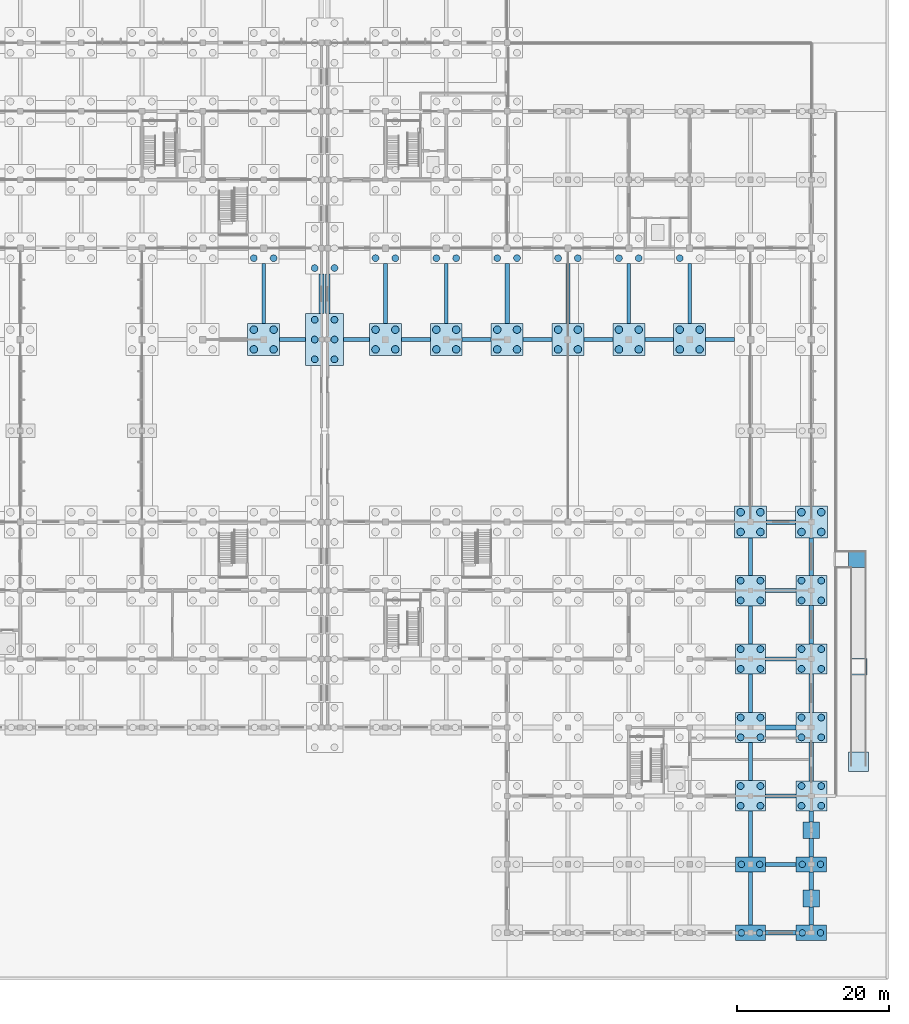
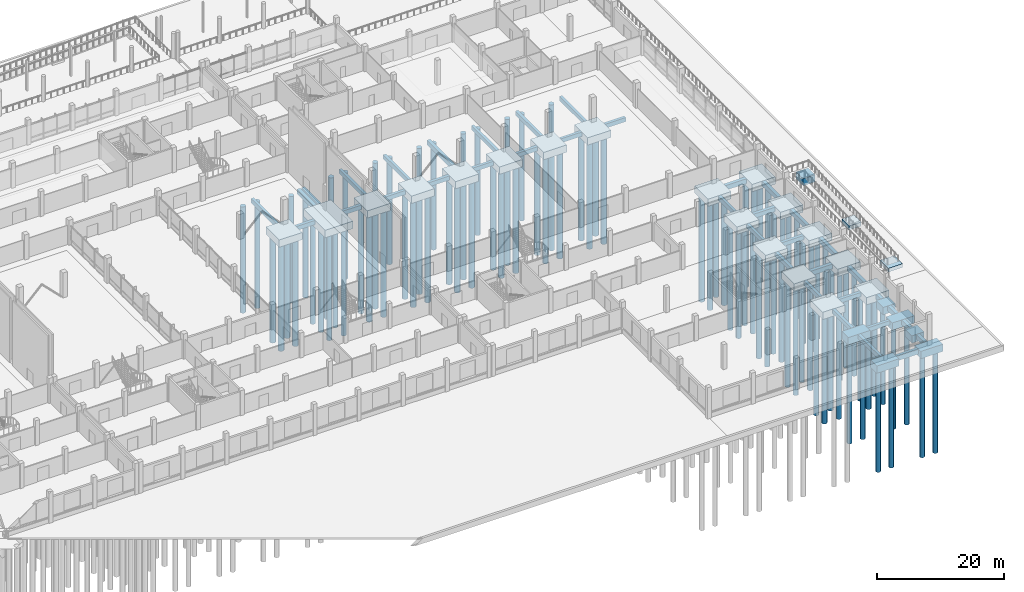
# One storey, part 9 of 72: 97 piles, 65 footings.
"""IFC4 building model written with IfcOpenShell, lengths in metres."""

from ifc_helpers import new_model, si_unit, direction, frame, origin, origin_2d, place, context, subcontext, project, spatial, rectangle, circle, extrude, material, material_profile, profile_set, type_object, element, save


model = new_model("IFC4")

# Units and contexts
model_context = context("Model", 3, precision=1e-05, world=origin(), true_north=direction((0.0, 1.0)))
body_context = subcontext(model_context, "Body", "Model", "MODEL_VIEW")
ifc_project = project(units=[si_unit("LENGTHUNIT", "METRE"), si_unit("AREAUNIT", "SQUARE_METRE"), si_unit("VOLUMEUNIT", "CUBIC_METRE"), si_unit("PLANEANGLEUNIT", "RADIAN"), si_unit("MASSUNIT", "GRAM", prefix="KILO"), si_unit("THERMODYNAMICTEMPERATUREUNIT", "KELVIN"), si_unit("POWERUNIT", "WATT")], contexts=[model_context])

# Site, building, storey
site_placement = place(None, origin())
site = spatial("IfcSite", under=ifc_project, at=site_placement, CompositionType="ELEMENT")
building_placement = place(site_placement, origin())
building = spatial("IfcBuilding", under=site, at=building_placement, Name="Kronsvod Quay Wholesale Market", CompositionType="ELEMENT")
storey_placement = place(building_placement, origin())
storey = spatial("IfcBuildingStorey", under=building, at=storey_placement, Name="L00", CompositionType="ELEMENT", Elevation=0.0)

# Footings
ifc_material_1 = material(Name="Concrete C35/45", Category="concrete")
footing_type_1 = type_object("IfcFootingType", Name="Cap_PC2B", PredefinedType="PILE_CAP", material=ifc_material_1)
for number, where, z_axis, x_axis, name in (
    (1, (184.0, 0.0, -2.64990234375), (0.0, 0.0, 1.0), (1.0, 0.0, 0.0), "CAP-254"),
    (2, (184.0, 9.0, -2.64990234375), (0.0, 0.0, 1.0), (1.0, 0.0, 0.0), "CAP-255"),
    (3, (192.0, 0.0, -2.64990234375), (0.0, 0.0, 1.0), (1.0, 0.0, 0.0), "CAP-266"),
    (4, (192.0, 9.0, -2.64990234375), (0.0, 0.0, 1.0), (1.0, 0.0, 0.0), "CAP-267"),
):
    element("IfcFooting", number, at=place(storey_placement, frame(where, z_axis=z_axis, x_axis=x_axis)), inside=storey, type_object=footing_type_1, Name=name, PredefinedType="PILE_CAP", context=body_context, shape_type="SweptSolid", body=[
        extrude(rectangle(XDim=4.0, YDim=2.0, at=origin_2d()), origin(), (0.0, 0.0, 1.0), 1.39990234375),
    ])
ifc_material_2 = material(Name="Concrete C35/45", Category="concrete")
footing_type_2 = type_object("IfcFootingType", Name="Cap_PC4A", PredefinedType="PILE_CAP", material=ifc_material_2)
for number, where, z_axis, x_axis, name in (
    (5, (184.0, 18.0, -2.64990234375), (0.0, 0.0, 1.0), (1.0, 0.0, 0.0), "CAP-256"),
    (6, (184.0, 27.0, -2.64990234375), (0.0, 0.0, 1.0), (1.0, 0.0, 0.0), "CAP-257"),
    (7, (184.0, 36.0, -2.64990234375), (0.0, 0.0, 1.0), (1.0, 0.0, 0.0), "CAP-258"),
    (8, (184.0, 45.0, -2.64990234375), (0.0, 0.0, 1.0), (1.0, 0.0, 0.0), "CAP-259"),
):
    element("IfcFooting", number, at=place(storey_placement, frame(where, z_axis=z_axis, x_axis=x_axis)), inside=storey, type_object=footing_type_2, Name=name, PredefinedType="PILE_CAP", context=body_context, shape_type="SweptSolid", body=[
        extrude(rectangle(XDim=4.0, YDim=4.0, at=origin_2d()), origin(), (0.0, 0.0, 1.0), 1.39990234375),
    ])
ifc_material_3 = material(Name="Concrete C35/45", Category="concrete")
footing_type_3 = type_object("IfcFootingType", Name="Cap_PC4B", PredefinedType="PILE_CAP", material=ifc_material_3)
for number, where, z_axis, x_axis, name in (
    (9, (120.0, 78.0, -2.64990234375), (0.0, 0.0, 1.0), (1.0, 0.0, 0.0), "CAP-182"),
    (10, (136.0, 78.0, -2.64990234375), (0.0, 0.0, 1.0), (1.0, 0.0, 0.0), "CAP-192"),
    (11, (144.0, 78.0, -2.64990234375), (0.0, 0.0, 1.0), (1.0, 0.0, 0.0), "CAP-202"),
    (12, (152.0, 78.0, -2.64990234375), (0.0, 0.0, 1.0), (1.0, 0.0, 0.0), "CAP-215"),
    (13, (160.0, 78.0, -2.64990234375), (0.0, 0.0, 1.0), (1.0, 0.0, 0.0), "CAP-228"),
    (14, (168.0, 78.0, -2.64990234375), (0.0, 0.0, 1.0), (1.0, 0.0, 0.0), "CAP-239"),
    (15, (176.0, 78.0, -2.64990234375), (0.0, 0.0, 1.0), (1.0, 0.0, 0.0), "CAP-250"),
    (16, (184.0, 54.0, -2.64990234375), (0.0, 0.0, 1.0), (1.0, 0.0, 0.0), "CAP-260"),
    (17, (192.0, 54.0, -2.64990234375), (0.0, 0.0, 1.0), (1.0, 0.0, 0.0), "CAP-272"),
):
    element("IfcFooting", number, at=place(storey_placement, frame(where, z_axis=z_axis, x_axis=x_axis)), inside=storey, type_object=footing_type_3, Name=name, PredefinedType="PILE_CAP", context=body_context, shape_type="SweptSolid", body=[
        extrude(rectangle(XDim=4.199951171875, YDim=4.199951171875, at=origin_2d()), origin(), (0.0, 0.0, 1.0), 1.39990234375),
    ])
ifc_material_4 = material(Name="Concrete C35/45", Category="concrete")
footing_type_4 = type_object("IfcFootingType", Name="Cap_PC4C", PredefinedType="PILE_CAP", material=ifc_material_4)
for number, where, z_axis, x_axis, name in (
    (18, (192.0, 18.0, -2.64990234375), (0.0, 0.0, 1.0), (1.0, 0.0, 0.0), "CAP-268"),
    (19, (192.0, 27.0, -2.64990234375), (0.0, 0.0, 1.0), (1.0, 0.0, 0.0), "CAP-269"),
    (20, (192.0, 36.0, -2.64990234375), (0.0, 0.0, 1.0), (1.0, 0.0, 0.0), "CAP-270"),
    (21, (192.0, 45.0, -2.64990234375), (0.0, 0.0, 1.0), (1.0, 0.0, 0.0), "CAP-271"),
):
    element("IfcFooting", number, at=place(storey_placement, frame(where, z_axis=z_axis, x_axis=x_axis)), inside=storey, type_object=footing_type_4, Name=name, PredefinedType="PILE_CAP", context=body_context, shape_type="SweptSolid", body=[
        extrude(rectangle(XDim=4.10009765625, YDim=3.89990234375, at=origin_2d()), origin(), (0.0, 0.0, 1.0), 1.39990234375),
    ])
ifc_material_5 = material(Name="Concrete C35/45", Category="concrete")
footing_type_5 = type_object("IfcFootingType", Name="Cap_PC6H", PredefinedType="PILE_CAP", material=ifc_material_5)
footing_1_placement = place(storey_placement, frame((128.0, 78.0, -2.7001953125), z_axis=(0.0, 0.0, 1.0), x_axis=(1.0, 0.0, 0.0)))
element("IfcFooting", 22, at=footing_1_placement, inside=storey, type_object=footing_type_5, Name="CAP-J010", PredefinedType="PILE_CAP", context=body_context, shape_type="SweptSolid", body=[
    extrude(rectangle(XDim=5.0, YDim=6.800048828125, at=origin_2d()), origin(), (0.0, 0.0, 1.0), 1.449951171875),
])
ifc_material_6 = material(Name="Concrete C35/45", Category="concrete")
ifc_material_profile_1 = material_profile(ifc_material_6, rectangle(XDim=0.5, YDim=0.800048828125, at=origin_2d()), Name="FB-01")
ifc_profile_set_1 = profile_set([ifc_material_profile_1], Name="Concrete C35/45")
footing_type_6 = type_object("IfcFootingType", Name="FootingBeam_500x800", PredefinedType="FOOTING_BEAM", material=ifc_profile_set_1)
footing_2_placement = place(storey_placement, frame((122.10009765625, 78.0, -1.64990234375), z_axis=(1.0, 0.0, 0.0), x_axis=(0.0, 1.0, 0.0)))
element("IfcFooting", 23, at=footing_2_placement, inside=storey, type_object=footing_type_6, Name="FB-X-0226", PredefinedType="FOOTING_BEAM", context=body_context, shape_type="SweptSolid", body=[
    extrude(rectangle(XDim=0.5, YDim=0.800048828125, at=origin_2d()), origin(), (0.0, 0.0, 1.0), 3.39990234375),
])
footing_3_placement = place(storey_placement, frame((120.0, 80.10009765625, -1.64990234375), z_axis=(0.0, 1.0, 0.0), x_axis=(-1.0, 0.0, 0.0)))
element("IfcFooting", 24, at=footing_3_placement, inside=storey, type_object=footing_type_6, Name="FB-Y-0329", PredefinedType="FOOTING_BEAM", context=body_context, shape_type="SweptSolid", body=[
    extrude(rectangle(XDim=0.5, YDim=0.800048828125, at=origin_2d()), origin(), (0.0, 0.0, 1.0), 7.89990234375),
])
footing_4_placement = place(storey_placement, frame((186.0, 9.0, -1.64990234375), z_axis=(1.0, 0.0, 0.0), x_axis=(0.0, 1.0, 0.0)))
element("IfcFooting", 25, at=footing_4_placement, inside=storey, type_object=footing_type_6, Name="FB-X-0351", PredefinedType="FOOTING_BEAM", context=body_context, shape_type="SweptSolid", body=[
    extrude(rectangle(XDim=0.5, YDim=0.800048828125, at=origin_2d()), origin(), (0.0, 0.0, 1.0), 4.0),
])
for number, where, z_axis, x_axis, name in (
    (26, (186.0, 18.0, -1.64990234375), (1.0, 0.0, 0.0), (0.0, 1.0, 0.0), "FB-X-0356"),
    (27, (186.0, 36.0, -1.64990234375), (1.0, 0.0, 0.0), (0.0, 1.0, 0.0), "FB-X-0372"),
):
    element("IfcFooting", number, at=place(storey_placement, frame(where, z_axis=z_axis, x_axis=x_axis)), inside=storey, type_object=footing_type_6, Name=name, PredefinedType="FOOTING_BEAM", context=body_context, shape_type="SweptSolid", body=[
        extrude(rectangle(XDim=0.5, YDim=0.800048828125, at=origin_2d()), origin(), (0.0, 0.0, 1.0), 3.949951171875),
    ])
footing_5_placement = place(storey_placement, frame((130.5, 78.0, -1.64990234375), z_axis=(1.0, 0.0, 0.0), x_axis=(0.0, 1.0, 0.0)))
element("IfcFooting", 28, at=footing_5_placement, inside=storey, type_object=footing_type_6, Name="FB-X-0390", PredefinedType="FOOTING_BEAM", context=body_context, shape_type="SweptSolid", body=[
    extrude(rectangle(XDim=0.5, YDim=0.800048828125, at=origin_2d()), origin(), (0.0, 0.0, 1.0), 3.39990234375),
])
for number, where, z_axis, x_axis, name in (
    (29, (138.10009765625, 78.0, -1.64990234375), (1.0, 0.0, 0.0), (0.0, 1.0, 0.0), "FB-X-0391"),
    (30, (146.10009765625, 78.0, -1.64990234375), (1.0, 0.0, 0.0), (0.0, 1.0, 0.0), "FB-X-0392"),
    (31, (154.10009765625, 78.0, -1.64990234375), (1.0, 0.0, 0.0), (0.0, 1.0, 0.0), "FB-X-0393"),
    (32, (162.10009765625, 78.0, -1.64990234375), (1.0, 0.0, 0.0), (0.0, 1.0, 0.0), "FB-X-0394"),
    (33, (170.10009765625, 78.0, -1.64990234375), (1.0, 0.0, 0.0), (0.0, 1.0, 0.0), "FB-X-0395"),
    (34, (178.10009765625, 78.0, -1.64990234375), (1.0, 0.0, 0.0), (0.0, 1.0, 0.0), "FB-X-0396"),
):
    element("IfcFooting", number, at=place(storey_placement, frame(where, z_axis=z_axis, x_axis=x_axis)), inside=storey, type_object=footing_type_6, Name=name, PredefinedType="FOOTING_BEAM", context=body_context, shape_type="SweptSolid", body=[
        extrude(rectangle(XDim=0.5, YDim=0.800048828125, at=origin_2d()), origin(), (0.0, 0.0, 1.0), 3.7998046875),
    ])
for number, where, z_axis, x_axis, name in (
    (35, (136.0, 80.10009765625, -1.64990234375), (0.0, 1.0, 0.0), (-1.0, 0.0, 0.0), "FB-Y-0439"),
    (36, (144.0, 80.10009765625, -1.64990234375), (0.0, 1.0, 0.0), (-1.0, 0.0, 0.0), "FB-Y-0447"),
    (37, (160.0, 80.10009765625, -1.64990234375), (0.0, 1.0, 0.0), (-1.0, 0.0, 0.0), "FB-Y-0469"),
    (38, (168.0, 80.10009765625, -1.64990234375), (0.0, 1.0, 0.0), (-1.0, 0.0, 0.0), "FB-Y-0478"),
    (39, (176.0, 80.10009765625, -1.64990234375), (0.0, 1.0, 0.0), (-1.0, 0.0, 0.0), "FB-Y-0487"),
):
    element("IfcFooting", number, at=place(storey_placement, frame(where, z_axis=z_axis, x_axis=x_axis)), inside=storey, type_object=footing_type_6, Name=name, PredefinedType="FOOTING_BEAM", context=body_context, shape_type="SweptSolid", body=[
        extrude(rectangle(XDim=0.5, YDim=0.800048828125, at=origin_2d()), origin(), (0.0, 0.0, 1.0), 7.89990234375),
    ])
footing_6_placement = place(storey_placement, frame((184.0, 1.0, -1.64990234375), z_axis=(0.0, 1.0, 0.0), x_axis=(-1.0, 0.0, 0.0)))
element("IfcFooting", 40, at=footing_6_placement, inside=storey, type_object=footing_type_6, Name="FB-Y-0490", PredefinedType="FOOTING_BEAM", context=body_context, shape_type="SweptSolid", body=[
    extrude(rectangle(XDim=0.5, YDim=0.800048828125, at=origin_2d()), origin(), (0.0, 0.0, 1.0), 7.0),
])
footing_7_placement = place(storey_placement, frame((184.0, 10.0, -1.64990234375), z_axis=(0.0, 1.0, 0.0), x_axis=(-1.0, 0.0, 0.0)))
element("IfcFooting", 41, at=footing_7_placement, inside=storey, type_object=footing_type_6, Name="FB-Y-0491", PredefinedType="FOOTING_BEAM", context=body_context, shape_type="SweptSolid", body=[
    extrude(rectangle(XDim=0.5, YDim=0.800048828125, at=origin_2d()), origin(), (0.0, 0.0, 1.0), 6.0),
])
for number, where, z_axis, x_axis, name in (
    (42, (184.0, 20.0, -1.64990234375), (0.0, 1.0, 0.0), (-1.0, 0.0, 0.0), "FB-Y-0492"),
    (43, (184.0, 29.0, -1.64990234375), (0.0, 1.0, 0.0), (-1.0, 0.0, 0.0), "FB-Y-0493"),
    (44, (184.0, 38.0, -1.64990234375), (0.0, 1.0, 0.0), (-1.0, 0.0, 0.0), "FB-Y-0494"),
):
    element("IfcFooting", number, at=place(storey_placement, frame(where, z_axis=z_axis, x_axis=x_axis)), inside=storey, type_object=footing_type_6, Name=name, PredefinedType="FOOTING_BEAM", context=body_context, shape_type="SweptSolid", body=[
        extrude(rectangle(XDim=0.5, YDim=0.800048828125, at=origin_2d()), origin(), (0.0, 0.0, 1.0), 5.0),
    ])
footing_8_placement = place(storey_placement, frame((184.0, 47.0, -1.64990234375), z_axis=(0.0, 1.0, 0.0), x_axis=(-1.0, 0.0, 0.0)))
element("IfcFooting", 45, at=footing_8_placement, inside=storey, type_object=footing_type_6, Name="FB-Y-0495", PredefinedType="FOOTING_BEAM", context=body_context, shape_type="SweptSolid", body=[
    extrude(rectangle(XDim=0.5, YDim=0.800048828125, at=origin_2d()), origin(), (0.0, 0.0, 1.0), 4.89990234375),
])
ifc_material_7 = material(Name="Concrete C35/45", Category="concrete")
ifc_material_profile_2 = material_profile(ifc_material_7, rectangle(XDim=0.550048828125, YDim=0.85009765625, at=origin_2d()), Name="FB-03")
ifc_profile_set_2 = profile_set([ifc_material_profile_2], Name="Concrete C35/45")
footing_type_7 = type_object("IfcFootingType", Name="FootingBeam_550x850", PredefinedType="FOOTING_BEAM", material=ifc_profile_set_2)
footing_9_placement = place(storey_placement, frame((186.0, 45.0, -1.675048828125), z_axis=(1.0, 0.0, 0.0), x_axis=(0.0, 1.0, 0.0)))
element("IfcFooting", 46, at=footing_9_placement, inside=storey, type_object=footing_type_7, Name="FB-X-0380", PredefinedType="FOOTING_BEAM", context=body_context, shape_type="SweptSolid", body=[
    extrude(rectangle(XDim=0.550048828125, YDim=0.85009765625, at=origin_2d()), origin(), (0.0, 0.0, 1.0), 3.949951171875),
])
ifc_material_8 = material(Name="Concrete C35/45", Category="concrete")
ifc_material_profile_3 = material_profile(ifc_material_8, rectangle(XDim=0.60009765625, YDim=0.89990234375, at=origin_2d()), Name="FB-02")
ifc_profile_set_3 = profile_set([ifc_material_profile_3], Name="Concrete C35/45")
footing_type_8 = type_object("IfcFootingType", Name="FootingBeam_600x900", PredefinedType="FOOTING_BEAM", material=ifc_profile_set_3)
footing_10_placement = place(storey_placement, frame((127.60009765625, 81.39990234375, -1.699951171875), z_axis=(0.0, 1.0, 0.0), x_axis=(-1.0, 0.0, 0.0)))
element("IfcFooting", 47, at=footing_10_placement, inside=storey, type_object=footing_type_8, Name="FB-Y-0337", PredefinedType="FOOTING_BEAM", context=body_context, shape_type="SweptSolid", body=[
    extrude(rectangle(XDim=0.60009765625, YDim=0.89990234375, at=origin_2d()), origin(), (0.0, 0.0, 1.0), 5.2001953125),
])
footing_11_placement = place(storey_placement, frame((186.0, 0.0, -1.699951171875), z_axis=(1.0, 0.0, 0.0), x_axis=(0.0, 1.0, 0.0)))
element("IfcFooting", 48, at=footing_11_placement, inside=storey, type_object=footing_type_8, Name="FB-X-0346", PredefinedType="FOOTING_BEAM", context=body_context, shape_type="SweptSolid", body=[
    extrude(rectangle(XDim=0.60009765625, YDim=0.89990234375, at=origin_2d()), origin(), (0.0, 0.0, 1.0), 4.0),
])
footing_12_placement = place(storey_placement, frame((186.0, 27.0, -1.699951171875), z_axis=(1.0, 0.0, 0.0), x_axis=(0.0, 1.0, 0.0)))
element("IfcFooting", 49, at=footing_12_placement, inside=storey, type_object=footing_type_8, Name="FB-X-0364", PredefinedType="FOOTING_BEAM", context=body_context, shape_type="SweptSolid", body=[
    extrude(rectangle(XDim=0.60009765625, YDim=0.89990234375, at=origin_2d()), origin(), (0.0, 0.0, 1.0), 3.949951171875),
])
footing_13_placement = place(storey_placement, frame((186.10009765625, 54.0, -1.699951171875), z_axis=(1.0, 0.0, 0.0), x_axis=(0.0, 1.0, 0.0)))
element("IfcFooting", 50, at=footing_13_placement, inside=storey, type_object=footing_type_8, Name="FB-X-0388", PredefinedType="FOOTING_BEAM", context=body_context, shape_type="SweptSolid", body=[
    extrude(rectangle(XDim=0.60009765625, YDim=0.89990234375, at=origin_2d()), origin(), (0.0, 0.0, 1.0), 3.7998046875),
])
footing_14_placement = place(storey_placement, frame((128.39990234375, 81.39990234375, -1.699951171875), z_axis=(0.0, 1.0, 0.0), x_axis=(-1.0, 0.0, 0.0)))
element("IfcFooting", 51, at=footing_14_placement, inside=storey, type_object=footing_type_8, Name="FB-Y-0431", PredefinedType="FOOTING_BEAM", context=body_context, shape_type="SweptSolid", body=[
    extrude(rectangle(XDim=0.60009765625, YDim=0.89990234375, at=origin_2d()), origin(), (0.0, 0.0, 1.0), 5.2001953125),
])
footing_15_placement = place(storey_placement, frame((152.0, 80.10009765625, -1.699951171875), z_axis=(0.0, 1.0, 0.0), x_axis=(-1.0, 0.0, 0.0)))
element("IfcFooting", 52, at=footing_15_placement, inside=storey, type_object=footing_type_8, Name="FB-Y-0458", PredefinedType="FOOTING_BEAM", context=body_context, shape_type="SweptSolid", body=[
    extrude(rectangle(XDim=0.60009765625, YDim=0.89990234375, at=origin_2d()), origin(), (0.0, 0.0, 1.0), 7.89990234375),
])
for number, where, z_axis, x_axis, name in (
    (53, (192.0, 1.0, -1.699951171875), (0.0, 1.0, 0.0), (-1.0, 0.0, 0.0), "FB-Y-0501"),
    (54, (192.0, 5.60009765625, -1.699951171875), (0.0, 1.0, 0.0), (-1.0, 0.0, 0.0), "FB-Y-0502"),
    (55, (192.0, 10.0, -1.699951171875), (0.0, 1.0, 0.0), (-1.0, 0.0, 0.0), "FB-Y-0503"),
):
    element("IfcFooting", number, at=place(storey_placement, frame(where, z_axis=z_axis, x_axis=x_axis)), inside=storey, type_object=footing_type_8, Name=name, PredefinedType="FOOTING_BEAM", context=body_context, shape_type="SweptSolid", body=[
        extrude(rectangle(XDim=0.60009765625, YDim=0.89990234375, at=origin_2d()), origin(), (0.0, 0.0, 1.0), 2.39990234375),
    ])
footing_16_placement = place(storey_placement, frame((192.0, 14.60009765625, -1.699951171875), z_axis=(0.0, 1.0, 0.0), x_axis=(-1.0, 0.0, 0.0)))
element("IfcFooting", 56, at=footing_16_placement, inside=storey, type_object=footing_type_8, Name="FB-Y-0504", PredefinedType="FOOTING_BEAM", context=body_context, shape_type="SweptSolid", body=[
    extrude(rectangle(XDim=0.60009765625, YDim=0.89990234375, at=origin_2d()), origin(), (0.0, 0.0, 1.0), 1.449951171875),
])
for number, where, z_axis, x_axis, name in (
    (57, (192.0, 19.949951171875, -1.699951171875), (0.0, 1.0, 0.0), (-1.0, 0.0, 0.0), "FB-Y-0505"),
    (58, (192.0, 28.949951171875, -1.699951171875), (0.0, 1.0, 0.0), (-1.0, 0.0, 0.0), "FB-Y-0506"),
    (59, (192.0, 37.949951171875, -1.699951171875), (0.0, 1.0, 0.0), (-1.0, 0.0, 0.0), "FB-Y-0507"),
):
    element("IfcFooting", number, at=place(storey_placement, frame(where, z_axis=z_axis, x_axis=x_axis)), inside=storey, type_object=footing_type_8, Name=name, PredefinedType="FOOTING_BEAM", context=body_context, shape_type="SweptSolid", body=[
        extrude(rectangle(XDim=0.60009765625, YDim=0.89990234375, at=origin_2d()), origin(), (0.0, 0.0, 1.0), 5.10009765625),
    ])
footing_17_placement = place(storey_placement, frame((192.0, 46.949951171875, -1.699951171875), z_axis=(0.0, 1.0, 0.0), x_axis=(-1.0, 0.0, 0.0)))
element("IfcFooting", 60, at=footing_17_placement, inside=storey, type_object=footing_type_8, Name="FB-Y-0508", PredefinedType="FOOTING_BEAM", context=body_context, shape_type="SweptSolid", body=[
    extrude(rectangle(XDim=0.60009765625, YDim=0.89990234375, at=origin_2d()), origin(), (0.0, 0.0, 1.0), 4.949951171875),
])
ifc_material_9 = material(Name="Concrete C35/45", Category="concrete")
footing_type_9 = type_object("IfcFootingType", Name="Pad_PF1", PredefinedType="PAD_FOOTING", material=ifc_material_9)
for number, where, z_axis, x_axis, name in (
    (61, (192.0, 4.5, -2.64990234375), (0.0, 0.0, 1.0), (1.0, 0.0, 0.0), "PAD-03"),
    (62, (192.0, 13.5, -2.64990234375), (0.0, 0.0, 1.0), (1.0, 0.0, 0.0), "PAD-04"),
):
    element("IfcFooting", number, at=place(storey_placement, frame(where, z_axis=z_axis, x_axis=x_axis)), inside=storey, type_object=footing_type_9, Name=name, PredefinedType="PAD_FOOTING", context=body_context, shape_type="SweptSolid", body=[
        extrude(rectangle(XDim=2.199951171875, YDim=2.199951171875, at=origin_2d()), origin(), (0.0, 0.0, 1.0), 1.39990234375),
    ])
ifc_material_10 = material(Name="Concrete C35/45", Category="concrete")
footing_type_10 = type_object("IfcFootingType", Name="Pad_PFRamp", PredefinedType="PAD_FOOTING", material=ifc_material_10)
footing_18_placement = place(storey_placement, frame((198.199951171875, 22.5, -1.89990234375), z_axis=(0.0, 0.0, 1.0), x_axis=(1.0, 0.0, 0.0)))
element("IfcFooting", 63, at=footing_18_placement, inside=storey, type_object=footing_type_10, Name="PAD-10", PredefinedType="PAD_FOOTING", context=body_context, shape_type="SweptSolid", body=[
    extrude(rectangle(XDim=2.60009765625, YDim=2.60009765625, at=origin_2d()), origin(), (0.0, 0.0, 1.0), 0.699951171875),
])
footing_19_placement = place(storey_placement, frame((198.199951171875, 35.0, -1.60009765625), z_axis=(0.0, 0.0, 1.0), x_axis=(1.0, 0.0, 0.0)))
element("IfcFooting", 64, at=footing_19_placement, inside=storey, type_object=footing_type_10, Name="RMP-E01-PIER1", PredefinedType="PAD_FOOTING", context=body_context, shape_type="SweptSolid", body=[
    extrude(rectangle(XDim=2.199951171875, YDim=2.199951171875, at=origin_2d()), origin(), (0.0, 0.0, 1.0), 0.780029296875),
])
footing_20_placement = place(storey_placement, frame((198.0, 49.10009765625, -1.599853515625), z_axis=(0.0, 0.0, 1.0), x_axis=(1.0, 0.0, 0.0)))
element("IfcFooting", 65, at=footing_20_placement, inside=storey, type_object=footing_type_10, Name="RMP-E01-PIER2", PredefinedType="PAD_FOOTING", context=body_context, shape_type="SweptSolid", body=[
    extrude(rectangle(XDim=2.199951171875, YDim=2.199951171875, at=origin_2d()), origin(), (0.0, 0.0, 1.0), 1.3798828125),
])

# Piles
ifc_material_11 = material(Name="Concrete C35/45", Category="concrete")
ifc_material_profile_4 = material_profile(ifc_material_11, circle(Radius=0.5, at=origin_2d()), Name="PILE1000")
ifc_profile_set_4 = profile_set([ifc_material_profile_4], Name="Concrete C35/45")
pile_type_1 = type_object("IfcPileType", Name="Pile_PILE1000", PredefinedType="BORED", material=ifc_profile_set_4)
for number, where, z_axis, x_axis, name in (
    (66, (118.699951171875, 76.699951171875, -2.64990234375), (0.0, 0.0, -1.0), (1.0, 0.0, 0.0), "PILE-0713"),
    (67, (118.699951171875, 79.300048828125, -2.64990234375), (0.0, 0.0, -1.0), (1.0, 0.0, 0.0), "PILE-0714"),
    (68, (121.300048828125, 76.699951171875, -2.64990234375), (0.0, 0.0, -1.0), (1.0, 0.0, 0.0), "PILE-0715"),
    (69, (121.300048828125, 79.300048828125, -2.64990234375), (0.0, 0.0, -1.0), (1.0, 0.0, 0.0), "PILE-0716"),
    (70, (134.699951171875, 76.699951171875, -2.64990234375), (0.0, 0.0, -1.0), (1.0, 0.0, 0.0), "PILE-0751"),
    (71, (134.699951171875, 79.300048828125, -2.64990234375), (0.0, 0.0, -1.0), (1.0, 0.0, 0.0), "PILE-0752"),
    (72, (137.300048828125, 76.699951171875, -2.64990234375), (0.0, 0.0, -1.0), (1.0, 0.0, 0.0), "PILE-0753"),
    (73, (137.300048828125, 79.300048828125, -2.64990234375), (0.0, 0.0, -1.0), (1.0, 0.0, 0.0), "PILE-0754"),
    (74, (142.699951171875, 76.699951171875, -2.64990234375), (0.0, 0.0, -1.0), (1.0, 0.0, 0.0), "PILE-0789"),
    (75, (142.699951171875, 79.300048828125, -2.64990234375), (0.0, 0.0, -1.0), (1.0, 0.0, 0.0), "PILE-0790"),
    (76, (145.300048828125, 76.699951171875, -2.64990234375), (0.0, 0.0, -1.0), (1.0, 0.0, 0.0), "PILE-0791"),
    (77, (145.300048828125, 79.300048828125, -2.64990234375), (0.0, 0.0, -1.0), (1.0, 0.0, 0.0), "PILE-0792"),
    (78, (150.699951171875, 76.699951171875, -2.64990234375), (0.0, 0.0, -1.0), (1.0, 0.0, 0.0), "PILE-0837"),
    (79, (150.699951171875, 79.300048828125, -2.64990234375), (0.0, 0.0, -1.0), (1.0, 0.0, 0.0), "PILE-0838"),
    (80, (153.300048828125, 76.699951171875, -2.64990234375), (0.0, 0.0, -1.0), (1.0, 0.0, 0.0), "PILE-0839"),
    (81, (153.300048828125, 79.300048828125, -2.64990234375), (0.0, 0.0, -1.0), (1.0, 0.0, 0.0), "PILE-0840"),
    (82, (158.699951171875, 76.699951171875, -2.64990234375), (0.0, 0.0, -1.0), (1.0, 0.0, 0.0), "PILE-0885"),
    (83, (158.699951171875, 79.300048828125, -2.64990234375), (0.0, 0.0, -1.0), (1.0, 0.0, 0.0), "PILE-0886"),
    (84, (161.300048828125, 76.699951171875, -2.64990234375), (0.0, 0.0, -1.0), (1.0, 0.0, 0.0), "PILE-0887"),
    (85, (161.300048828125, 79.300048828125, -2.64990234375), (0.0, 0.0, -1.0), (1.0, 0.0, 0.0), "PILE-0888"),
    (86, (166.699951171875, 76.699951171875, -2.64990234375), (0.0, 0.0, -1.0), (1.0, 0.0, 0.0), "PILE-0921"),
    (87, (166.699951171875, 79.300048828125, -2.64990234375), (0.0, 0.0, -1.0), (1.0, 0.0, 0.0), "PILE-0922"),
    (88, (169.300048828125, 76.699951171875, -2.64990234375), (0.0, 0.0, -1.0), (1.0, 0.0, 0.0), "PILE-0923"),
    (89, (169.300048828125, 79.300048828125, -2.64990234375), (0.0, 0.0, -1.0), (1.0, 0.0, 0.0), "PILE-0924"),
    (90, (174.699951171875, 76.699951171875, -2.64990234375), (0.0, 0.0, -1.0), (1.0, 0.0, 0.0), "PILE-0957"),
    (91, (174.699951171875, 79.300048828125, -2.64990234375), (0.0, 0.0, -1.0), (1.0, 0.0, 0.0), "PILE-0958"),
    (92, (177.300048828125, 76.699951171875, -2.64990234375), (0.0, 0.0, -1.0), (1.0, 0.0, 0.0), "PILE-0959"),
    (93, (177.300048828125, 79.300048828125, -2.64990234375), (0.0, 0.0, -1.0), (1.0, 0.0, 0.0), "PILE-0960"),
    (94, (182.699951171875, 52.699951171875, -2.64990234375), (0.0, 0.0, -1.0), (1.0, 0.0, 0.0), "PILE-0989"),
    (95, (182.699951171875, 55.300048828125, -2.64990234375), (0.0, 0.0, -1.0), (1.0, 0.0, 0.0), "PILE-0990"),
    (96, (185.300048828125, 52.699951171875, -2.64990234375), (0.0, 0.0, -1.0), (1.0, 0.0, 0.0), "PILE-0991"),
    (97, (185.300048828125, 55.300048828125, -2.64990234375), (0.0, 0.0, -1.0), (1.0, 0.0, 0.0), "PILE-0992"),
    (98, (190.699951171875, 52.699951171875, -2.64990234375), (0.0, 0.0, -1.0), (1.0, 0.0, 0.0), "PILE-1027"),
    (99, (190.699951171875, 55.300048828125, -2.64990234375), (0.0, 0.0, -1.0), (1.0, 0.0, 0.0), "PILE-1028"),
    (100, (193.300048828125, 52.699951171875, -2.64990234375), (0.0, 0.0, -1.0), (1.0, 0.0, 0.0), "PILE-1029"),
    (101, (193.300048828125, 55.300048828125, -2.64990234375), (0.0, 0.0, -1.0), (1.0, 0.0, 0.0), "PILE-1030"),
):
    element("IfcPile", number, at=place(storey_placement, frame(where, z_axis=z_axis, x_axis=x_axis)), inside=storey, type_object=pile_type_1, Name=name, PredefinedType="BORED", context=body_context, shape_type="SweptSolid", body=[
        extrude(circle(Radius=0.5, at=origin_2d()), origin(), (0.0, 0.0, 1.0), 20.39990234375),
    ])
ifc_material_12 = material(Name="Concrete C35/45", Category="concrete")
ifc_material_profile_5 = material_profile(ifc_material_12, circle(Radius=0.425048828125, at=origin_2d()), Name="PILE850")
ifc_profile_set_5 = profile_set([ifc_material_profile_5], Name="Concrete C35/45")
pile_type_2 = type_object("IfcPileType", Name="Pile_PILE850", PredefinedType="BORED", material=ifc_profile_set_5)
for number, where, z_axis, x_axis, name in (
    (102, (182.800048828125, 0.0, -2.64990234375), (0.0, 0.0, -1.0), (1.0, 0.0, 0.0), "PILE-0969"),
    (103, (185.199951171875, 0.0, -2.64990234375), (0.0, 0.0, -1.0), (1.0, 0.0, 0.0), "PILE-0970"),
    (104, (182.800048828125, 9.0, -2.64990234375), (0.0, 0.0, -1.0), (1.0, 0.0, 0.0), "PILE-0971"),
    (105, (185.199951171875, 9.0, -2.64990234375), (0.0, 0.0, -1.0), (1.0, 0.0, 0.0), "PILE-0972"),
    (106, (190.800048828125, 0.0, -2.64990234375), (0.0, 0.0, -1.0), (1.0, 0.0, 0.0), "PILE-1007"),
    (107, (193.199951171875, 0.0, -2.64990234375), (0.0, 0.0, -1.0), (1.0, 0.0, 0.0), "PILE-1008"),
    (108, (190.800048828125, 9.0, -2.64990234375), (0.0, 0.0, -1.0), (1.0, 0.0, 0.0), "PILE-1009"),
    (109, (193.199951171875, 9.0, -2.64990234375), (0.0, 0.0, -1.0), (1.0, 0.0, 0.0), "PILE-1010"),
):
    element("IfcPile", number, at=place(storey_placement, frame(where, z_axis=z_axis, x_axis=x_axis)), inside=storey, type_object=pile_type_2, Name=name, PredefinedType="BORED", context=body_context, shape_type="SweptSolid", body=[
        extrude(circle(Radius=0.425048828125, at=origin_2d()), origin(), (0.0, 0.0, 1.0), 19.60009765625),
    ])
ifc_material_13 = material(Name="Concrete C35/45", Category="concrete")
ifc_material_profile_6 = material_profile(ifc_material_13, circle(Radius=0.449951171875, at=origin_2d()), Name="PILE900")
ifc_profile_set_6 = profile_set([ifc_material_profile_6], Name="Concrete C35/45")
pile_type_3 = type_object("IfcPileType", Name="Pile_PILE900", PredefinedType="BORED", material=ifc_profile_set_6)
for number, where, z_axis, x_axis, name in (
    (110, (126.699951171875, 75.39990234375, -2.64990234375), (0.0, 0.0, -1.0), (1.0, 0.0, 0.0), "PILE-0055"),
    (111, (126.699951171875, 78.0, -2.64990234375), (0.0, 0.0, -1.0), (1.0, 0.0, 0.0), "PILE-0056"),
    (112, (126.699951171875, 80.60009765625, -2.64990234375), (0.0, 0.0, -1.0), (1.0, 0.0, 0.0), "PILE-0057"),
    (113, (129.300048828125, 75.39990234375, -2.64990234375), (0.0, 0.0, -1.0), (1.0, 0.0, 0.0), "PILE-0058"),
    (114, (129.300048828125, 78.0, -2.64990234375), (0.0, 0.0, -1.0), (1.0, 0.0, 0.0), "PILE-0059"),
    (115, (129.300048828125, 80.60009765625, -2.64990234375), (0.0, 0.0, -1.0), (1.0, 0.0, 0.0), "PILE-0060"),
    (116, (126.699951171875, 87.39990234375, -2.64990234375), (0.0, 0.0, -1.0), (1.0, 0.0, 0.0), "PILE-0067"),
    (117, (129.300048828125, 87.39990234375, -2.64990234375), (0.0, 0.0, -1.0), (1.0, 0.0, 0.0), "PILE-0070"),
    (118, (118.699951171875, 88.699951171875, -2.64990234375), (0.0, 0.0, -1.0), (1.0, 0.0, 0.0), "PILE-0717"),
    (119, (121.300048828125, 88.699951171875, -2.64990234375), (0.0, 0.0, -1.0), (1.0, 0.0, 0.0), "PILE-0719"),
    (120, (134.699951171875, 88.699951171875, -2.64990234375), (0.0, 0.0, -1.0), (1.0, 0.0, 0.0), "PILE-0755"),
    (121, (137.300048828125, 88.699951171875, -2.64990234375), (0.0, 0.0, -1.0), (1.0, 0.0, 0.0), "PILE-0757"),
    (122, (142.699951171875, 88.699951171875, -2.64990234375), (0.0, 0.0, -1.0), (1.0, 0.0, 0.0), "PILE-0793"),
    (123, (145.300048828125, 88.699951171875, -2.64990234375), (0.0, 0.0, -1.0), (1.0, 0.0, 0.0), "PILE-0795"),
    (124, (150.699951171875, 88.699951171875, -2.64990234375), (0.0, 0.0, -1.0), (1.0, 0.0, 0.0), "PILE-0841"),
    (125, (153.300048828125, 88.699951171875, -2.64990234375), (0.0, 0.0, -1.0), (1.0, 0.0, 0.0), "PILE-0843"),
    (126, (158.699951171875, 88.699951171875, -2.64990234375), (0.0, 0.0, -1.0), (1.0, 0.0, 0.0), "PILE-0889"),
    (127, (161.300048828125, 88.699951171875, -2.64990234375), (0.0, 0.0, -1.0), (1.0, 0.0, 0.0), "PILE-0891"),
    (128, (166.699951171875, 88.699951171875, -2.64990234375), (0.0, 0.0, -1.0), (1.0, 0.0, 0.0), "PILE-0925"),
    (129, (169.300048828125, 88.699951171875, -2.64990234375), (0.0, 0.0, -1.0), (1.0, 0.0, 0.0), "PILE-0927"),
    (130, (174.699951171875, 88.699951171875, -2.64990234375), (0.0, 0.0, -1.0), (1.0, 0.0, 0.0), "PILE-0961"),
    (131, (182.699951171875, 16.699951171875, -2.64990234375), (0.0, 0.0, -1.0), (1.0, 0.0, 0.0), "PILE-0973"),
    (132, (182.699951171875, 19.300048828125, -2.64990234375), (0.0, 0.0, -1.0), (1.0, 0.0, 0.0), "PILE-0974"),
    (133, (185.300048828125, 16.699951171875, -2.64990234375), (0.0, 0.0, -1.0), (1.0, 0.0, 0.0), "PILE-0975"),
    (134, (185.300048828125, 19.300048828125, -2.64990234375), (0.0, 0.0, -1.0), (1.0, 0.0, 0.0), "PILE-0976"),
    (135, (182.699951171875, 25.699951171875, -2.64990234375), (0.0, 0.0, -1.0), (1.0, 0.0, 0.0), "PILE-0977"),
    (136, (182.699951171875, 28.300048828125, -2.64990234375), (0.0, 0.0, -1.0), (1.0, 0.0, 0.0), "PILE-0978"),
    (137, (185.300048828125, 25.699951171875, -2.64990234375), (0.0, 0.0, -1.0), (1.0, 0.0, 0.0), "PILE-0979"),
    (138, (185.300048828125, 28.300048828125, -2.64990234375), (0.0, 0.0, -1.0), (1.0, 0.0, 0.0), "PILE-0980"),
    (139, (182.699951171875, 34.699951171875, -2.64990234375), (0.0, 0.0, -1.0), (1.0, 0.0, 0.0), "PILE-0981"),
    (140, (182.699951171875, 37.300048828125, -2.64990234375), (0.0, 0.0, -1.0), (1.0, 0.0, 0.0), "PILE-0982"),
    (141, (185.300048828125, 34.699951171875, -2.64990234375), (0.0, 0.0, -1.0), (1.0, 0.0, 0.0), "PILE-0983"),
    (142, (185.300048828125, 37.300048828125, -2.64990234375), (0.0, 0.0, -1.0), (1.0, 0.0, 0.0), "PILE-0984"),
    (143, (182.699951171875, 43.699951171875, -2.64990234375), (0.0, 0.0, -1.0), (1.0, 0.0, 0.0), "PILE-0985"),
    (144, (182.699951171875, 46.300048828125, -2.64990234375), (0.0, 0.0, -1.0), (1.0, 0.0, 0.0), "PILE-0986"),
    (145, (185.300048828125, 43.699951171875, -2.64990234375), (0.0, 0.0, -1.0), (1.0, 0.0, 0.0), "PILE-0987"),
    (146, (185.300048828125, 46.300048828125, -2.64990234375), (0.0, 0.0, -1.0), (1.0, 0.0, 0.0), "PILE-0988"),
    (147, (190.699951171875, 16.699951171875, -2.64990234375), (0.0, 0.0, -1.0), (1.0, 0.0, 0.0), "PILE-1011"),
    (148, (190.699951171875, 19.300048828125, -2.64990234375), (0.0, 0.0, -1.0), (1.0, 0.0, 0.0), "PILE-1012"),
    (149, (193.300048828125, 16.699951171875, -2.64990234375), (0.0, 0.0, -1.0), (1.0, 0.0, 0.0), "PILE-1013"),
    (150, (193.300048828125, 19.300048828125, -2.64990234375), (0.0, 0.0, -1.0), (1.0, 0.0, 0.0), "PILE-1014"),
    (151, (190.699951171875, 25.699951171875, -2.64990234375), (0.0, 0.0, -1.0), (1.0, 0.0, 0.0), "PILE-1015"),
    (152, (190.699951171875, 28.300048828125, -2.64990234375), (0.0, 0.0, -1.0), (1.0, 0.0, 0.0), "PILE-1016"),
    (153, (193.300048828125, 25.699951171875, -2.64990234375), (0.0, 0.0, -1.0), (1.0, 0.0, 0.0), "PILE-1017"),
    (154, (193.300048828125, 28.300048828125, -2.64990234375), (0.0, 0.0, -1.0), (1.0, 0.0, 0.0), "PILE-1018"),
    (155, (190.699951171875, 34.699951171875, -2.64990234375), (0.0, 0.0, -1.0), (1.0, 0.0, 0.0), "PILE-1019"),
    (156, (190.699951171875, 37.300048828125, -2.64990234375), (0.0, 0.0, -1.0), (1.0, 0.0, 0.0), "PILE-1020"),
    (157, (193.300048828125, 34.699951171875, -2.64990234375), (0.0, 0.0, -1.0), (1.0, 0.0, 0.0), "PILE-1021"),
    (158, (193.300048828125, 37.300048828125, -2.64990234375), (0.0, 0.0, -1.0), (1.0, 0.0, 0.0), "PILE-1022"),
    (159, (190.699951171875, 43.699951171875, -2.64990234375), (0.0, 0.0, -1.0), (1.0, 0.0, 0.0), "PILE-1023"),
    (160, (190.699951171875, 46.300048828125, -2.64990234375), (0.0, 0.0, -1.0), (1.0, 0.0, 0.0), "PILE-1024"),
    (161, (193.300048828125, 43.699951171875, -2.64990234375), (0.0, 0.0, -1.0), (1.0, 0.0, 0.0), "PILE-1025"),
    (162, (193.300048828125, 46.300048828125, -2.64990234375), (0.0, 0.0, -1.0), (1.0, 0.0, 0.0), "PILE-1026"),
):
    element("IfcPile", number, at=place(storey_placement, frame(where, z_axis=z_axis, x_axis=x_axis)), inside=storey, type_object=pile_type_3, Name=name, PredefinedType="BORED", context=body_context, shape_type="SweptSolid", body=[
        extrude(circle(Radius=0.449951171875, at=origin_2d()), origin(), (0.0, 0.0, 1.0), 20.39990234375),
    ])

save(model, "model.ifc")
